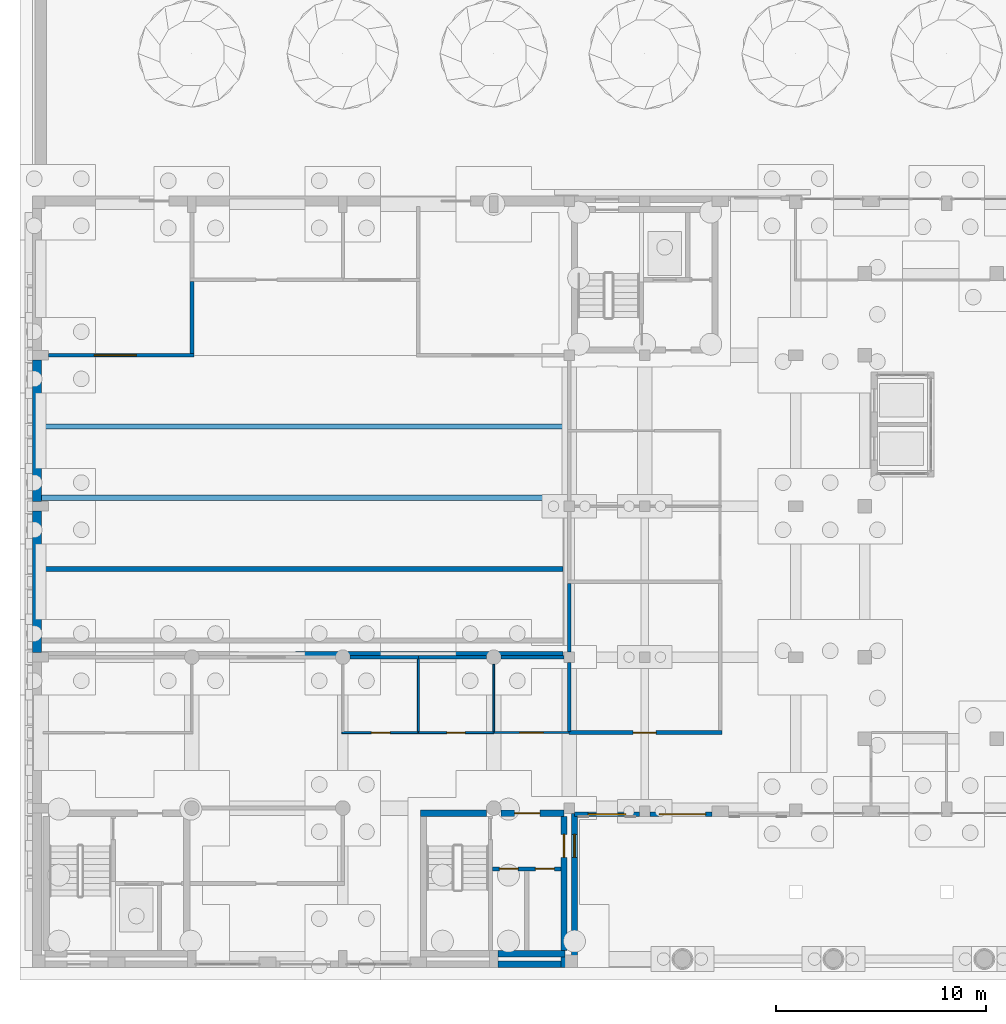
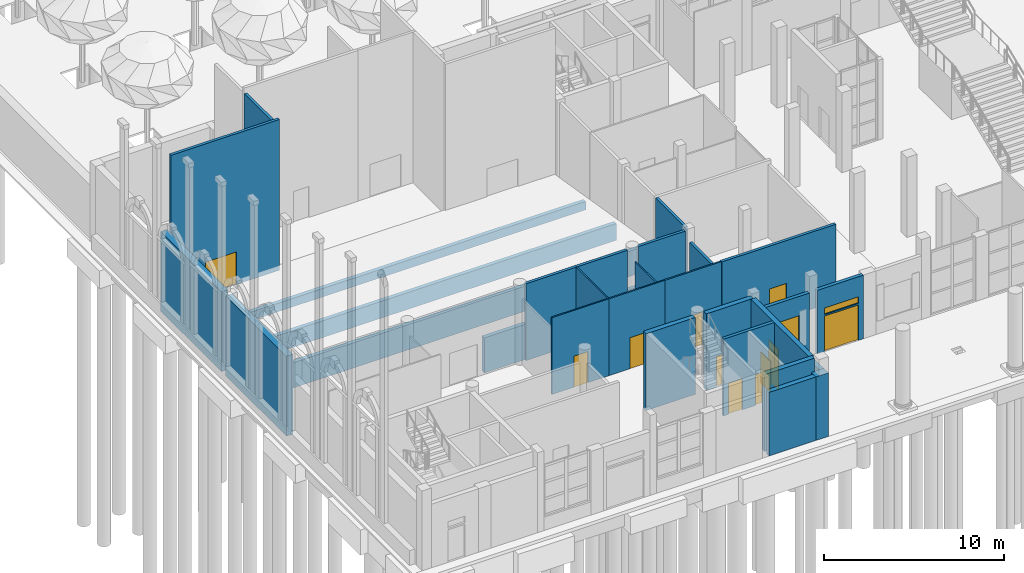
# One storey, part 41 of 80: 29 walls, 11 doors, 3 windows, 14 openings.
"""IFC4 building model written with IfcOpenShell, lengths in metres."""

from ifc_helpers import new_model, si_unit, direction, frame, frame_2d, origin, place, context, subcontext, project, spatial, rectangle, extrude, material, layer, layer_set, type_object, element, fill, save


model = new_model("IFC4")

# Units and contexts
model_context = context("Model", 3, precision=1e-05, world=origin(), true_north=direction((0.0, 1.0)))
body_context = subcontext(model_context, "Body", "Model", "MODEL_VIEW")
ifc_project = project(units=[si_unit("LENGTHUNIT", "METRE"), si_unit("AREAUNIT", "SQUARE_METRE"), si_unit("VOLUMEUNIT", "CUBIC_METRE"), si_unit("PLANEANGLEUNIT", "RADIAN"), si_unit("MASSUNIT", "GRAM", prefix="KILO")], contexts=[model_context])

# Site, building, storey
site_placement = place(None, origin())
site = spatial("IfcSite", under=ifc_project, at=site_placement, CompositionType="ELEMENT")
building_placement = place(site_placement, origin())
building = spatial("IfcBuilding", under=site, at=building_placement, Name="Ussher Court Research Institute", CompositionType="ELEMENT")
storey_placement = place(building_placement, origin())
storey = spatial("IfcBuildingStorey", under=building, at=storey_placement, Name="L00", CompositionType="ELEMENT", Elevation=0.0)

# Wall, opening, door
ifc_material_1 = material(Name="Plasterboard on steel studs with mineral wool", Category="steel")
ifc_layer_1 = layer(ifc_material_1, 0.179931640625)
ifc_layer_set_1 = layer_set([ifc_layer_1], Name="Plasterboard on steel studs with mineral wool")
wall_type_1 = type_object("IfcWallType", Name="Acoustic twin-stud partition 180", PredefinedType="PARTITIONING", material=ifc_layer_set_1)
wall_1_placement = place(storey_placement, frame((28.199951171875, 14.800048828125, 0.0), z_axis=(0.0, 0.0, 1.0), x_axis=(1.0, 0.0, 0.0)))
wall_1 = element("IfcWall", 1, at=wall_1_placement, inside=storey, type_object=wall_type_1, Name="Partition", PredefinedType="PARTITIONING", context=body_context, shape_type="SweptSolid", body=[
    extrude(rectangle(XDim=7.2900390625, YDim=0.179931640625, at=frame_2d((3.64501953125, 0.0))), origin(), (0.0, 0.0, 1.0), 5.199951171875),
])
opening_1_placement = place(wall_1_placement, frame((3.050048828125, 0.0, 0.0)))
opening_1 = element("IfcOpeningElement", 2, at=opening_1_placement, cuts=wall_1, Name="Opening D00031", PredefinedType="OPENING", context=body_context, shape_type="SweptSolid", body=[
    extrude(rectangle(XDim=1.10009765625, YDim=2.300048828125, at=frame_2d((0.550048828125, 1.14990234375))), frame((0.0, 0.10009765625, 0.0), z_axis=(0.0, -1.0, 0.0), x_axis=(1.0, 0.0, 0.0)), (0.0, 0.0, 1.0), 0.199951171875),
])
ifc_material_2 = material(Name="Veneered timber door", Category="wood")
door_type_1 = type_object("IfcDoorType", Name="Seminar room door 1100x2300", OperationType="NOTDEFINED", PredefinedType="DOOR", material=ifc_material_2)
door_1_placement = place(opening_1_placement, origin())
door_1 = element("IfcDoor", 3, at=door_1_placement, inside=storey, type_object=door_type_1, Name="Door D00031", OperationType="SINGLE_SWING_LEFT", OverallHeight=2.300048828125, OverallWidth=1.10009765625, PredefinedType="DOOR", context=body_context, shape_type="SweptSolid", body=[
    extrude(rectangle(XDim=1.10009765625, YDim=2.300048828125, at=frame_2d((0.550048828125, 1.14990234375))), frame((0.0, 0.02490234375, 0.0), z_axis=(0.0, -1.0, 0.0), x_axis=(1.0, 0.0, 0.0)), (0.0, 0.0, 1.0), 0.050048828125),
])
fill(opening_1, door_1)

# Walls
for number, where, z_axis, x_axis, name in (
    (4, (17.75, 18.39990234375, 0.0), (0.0, 0.0, 1.0), (1.0, 0.0, 0.0), "Partition"),
    (5, (21.0, 18.39990234375, 0.0), (0.0, 0.0, 1.0), (1.0, 0.0, 0.0), "Partition"),
):
    element("IfcWall", number, at=place(storey_placement, frame(where, z_axis=z_axis, x_axis=x_axis)), inside=storey, type_object=wall_type_1, Name=name, PredefinedType="PARTITIONING", context=body_context, shape_type="SweptSolid", body=[
        extrude(rectangle(XDim=3.25, YDim=0.179931640625, at=frame_2d((1.625, 0.0))), origin(), (0.0, 0.0, 1.0), 5.199951171875),
    ])
wall_2_placement = place(storey_placement, frame((24.949951171875, 18.39990234375, 0.0), z_axis=(0.0, 0.0, 1.0), x_axis=(1.0, 0.0, 0.0)))
element("IfcWall", 6, at=wall_2_placement, inside=storey, type_object=wall_type_1, Name="Partition", PredefinedType="PARTITIONING", context=body_context, shape_type="SweptSolid", body=[
    extrude(rectangle(XDim=3.0, YDim=0.179931640625, at=frame_2d((1.5, 0.0))), origin(), (0.0, 0.0, 1.0), 5.199951171875),
])
wall_3_placement = place(storey_placement, frame((28.199951171875, 14.85009765625, 0.0), z_axis=(0.0, 0.0, 1.0), x_axis=(0.0, 1.0, 0.0)))
element("IfcWall", 7, at=wall_3_placement, inside=storey, type_object=wall_type_1, Name="Partition", PredefinedType="PARTITIONING", context=body_context, shape_type="SweptSolid", body=[
    extrude(rectangle(XDim=3.2998046875, YDim=0.179931640625, at=frame_2d((1.64990234375, 0.0))), origin(), (0.0, 0.0, 1.0), 4.469970703125),
])
wall_4_placement = place(storey_placement, frame((28.199951171875, 18.64990234375, 0.0), z_axis=(0.0, 0.0, 1.0), x_axis=(0.0, 1.0, 0.0)))
element("IfcWall", 8, at=wall_4_placement, inside=storey, type_object=wall_type_1, Name="Partition", PredefinedType="PARTITIONING", context=body_context, shape_type="SweptSolid", body=[
    extrude(rectangle(XDim=3.260009765625, YDim=0.179931640625, at=frame_2d((1.6298828125, 0.0))), origin(), (0.0, 0.0, 1.0), 5.199951171875),
])
ifc_material_3 = material(Name="Concrete C35/45", Category="concrete")
ifc_layer_2 = layer(ifc_material_3, 0.419921875)
ifc_layer_set_2 = layer_set([ifc_layer_2], Name="Concrete C35/45")
wall_type_2 = type_object("IfcWallType", Name="Blind west wall 420 reinforced concrete limestone faced", PredefinedType="SOLIDWALL", material=ifc_layer_set_2)
for number, where, z_axis, x_axis, name in (
    (9, (2.81005859375, 18.625, 0.0), (0.0, 0.0, 1.0), (0.0, 1.0, 0.0), "RC wall RW2 west"),
    (10, (2.81005859375, 25.824951171875, 0.0), (0.0, 0.0, 1.0), (0.0, 1.0, 0.0), "RC wall RW2 west"),
):
    element("IfcWall", number, at=place(storey_placement, frame(where, z_axis=z_axis, x_axis=x_axis)), inside=storey, type_object=wall_type_2, Name=name, PredefinedType="SOLIDWALL", context=body_context, shape_type="SweptSolid", body=[
        extrude(rectangle(XDim=6.75, YDim=0.419921875, at=frame_2d((3.375, 0.0))), origin(), (0.0, 0.0, 1.0), 5.39990234375),
    ])
ifc_material_4 = material(Name="Limestone facing on blockwork", Category="masonry")
ifc_layer_3 = layer(ifc_material_4, 0.300048828125)
ifc_layer_set_3 = layer_set([ifc_layer_3], Name="Limestone facing on blockwork")
wall_type_3 = type_object("IfcWallType", Name="External wall 300 stair enclosure", PredefinedType="SOLIDWALL", material=ifc_layer_set_3)
wall_5_placement = place(storey_placement, frame((27.800048828125, 3.75, 0.0), z_axis=(0.0, 0.0, 1.0), x_axis=(-1.0, 0.0, 0.0)))
element("IfcWall", 11, at=wall_5_placement, inside=storey, type_object=wall_type_3, Name="External wall EW5 L00", PredefinedType="SOLIDWALL", context=body_context, shape_type="SweptSolid", body=[
    extrude(rectangle(XDim=3.0, YDim=0.300048828125, at=frame_2d((1.5, 0.0))), origin(), (0.0, 0.0, 1.0), 4.300048828125),
])

# Wall, openings, door, window
ifc_material_5 = material(Name="Limestone facing on insulated blockwork", Category="masonry")
ifc_layer_4 = layer(ifc_material_5, 0.219970703125)
ifc_layer_set_4 = layer_set([ifc_layer_4], Name="Limestone facing on insulated blockwork")
wall_type_4 = type_object("IfcWallType", Name="Link wall 220 limestone faced insulated block", PredefinedType="SOLIDWALL", material=ifc_layer_set_4)
wall_6_placement = place(storey_placement, frame((35.0, 10.909912109375, 0.0), z_axis=(0.0, 0.0, 1.0), x_axis=(-1.0, 0.0, 0.0)))
wall_6 = element("IfcWall", 12, at=wall_6_placement, inside=storey, type_object=wall_type_4, Name="External wall EW6 L00", PredefinedType="SOLIDWALL", context=body_context, shape_type="SweptSolid", body=[
    extrude(rectangle(XDim=2.949951171875, YDim=0.219970703125, at=frame_2d((1.47509765625, 0.0))), origin(), (0.0, 0.0, 1.0), 4.300048828125),
])
opening_2_placement = place(wall_6_placement, frame((0.300048828125, 0.0, 0.0)))
opening_2 = element("IfcOpeningElement", 13, at=opening_2_placement, cuts=wall_6, Name="Opening DX28", PredefinedType="OPENING", context=body_context, shape_type="SweptSolid", body=[
    extrude(rectangle(XDim=2.199951171875, YDim=2.39990234375, at=frame_2d((1.10009765625, 1.199951171875))), frame((0.0, 0.1201171875, 0.0), z_axis=(0.0, -1.0, 0.0), x_axis=(1.0, 0.0, 0.0)), (0.0, 0.0, 1.0), 0.239990234375),
])
opening_3_placement = place(wall_6_placement, frame((0.300048828125, 0.0, 2.5)))
opening_3 = element("IfcOpeningElement", 14, at=opening_3_placement, cuts=wall_6, Name="Opening W22", PredefinedType="OPENING", context=body_context, shape_type="SweptSolid", body=[
    extrude(rectangle(XDim=2.199951171875, YDim=0.449951171875, at=frame_2d((1.10009765625, 0.22509765625))), frame((0.0, 0.1201171875, 0.0), z_axis=(0.0, -1.0, 0.0), x_axis=(1.0, 0.0, 0.0)), (0.0, 0.0, 1.0), 0.239990234375),
])
ifc_material_6 = material(Name="Bronze anodised aluminium with toughened glass", Category="aluminium")
door_type_2 = type_object("IfcDoorType", Name="Reading link entrance double door 2200x2400", OperationType="DOUBLE_DOOR_SINGLE_SWING", PredefinedType="DOOR", material=ifc_material_6)
door_2_placement = place(opening_2_placement, origin())
door_2 = element("IfcDoor", 15, at=door_2_placement, inside=storey, type_object=door_type_2, Name="Door DX28", OperationType="SINGLE_SWING_LEFT", OverallHeight=2.39990234375, OverallWidth=2.199951171875, PredefinedType="DOOR", context=body_context, shape_type="SweptSolid", body=[
    extrude(rectangle(XDim=2.199951171875, YDim=2.39990234375, at=frame_2d((1.10009765625, 1.199951171875))), frame((0.0, 0.02490234375, 0.0), z_axis=(0.0, -1.0, 0.0), x_axis=(1.0, 0.0, 0.0)), (0.0, 0.0, 1.0), 0.050048828125),
])
fill(opening_2, door_2)
ifc_material_7 = material(Name="Bronze anodised aluminium with double glazing", Category="aluminium")
window_type_1 = type_object("IfcWindowType", Name="Reading link entrance transom light 2200x450", PartitioningType="SINGLE_PANEL", PredefinedType="WINDOW", material=ifc_material_7)
window_1_placement = place(opening_3_placement, origin())
window_1 = element("IfcWindow", 16, at=window_1_placement, inside=storey, type_object=window_type_1, Name="Window W22 L00", OverallHeight=0.449951171875, OverallWidth=2.199951171875, PartitioningType="SINGLE_PANEL", PredefinedType="WINDOW", context=body_context, shape_type="SweptSolid", body=[
    extrude(rectangle(XDim=2.199951171875, YDim=0.449951171875, at=frame_2d((1.10009765625, 0.22509765625))), frame((0.0, 0.030029296875, 0.0), z_axis=(0.0, -1.0, 0.0), x_axis=(1.0, 0.0, 0.0)), (0.0, 0.0, 1.0), 0.06005859375),
])
fill(opening_3, window_1)

# Wall, opening, window
wall_7_placement = place(storey_placement, frame((31.550048828125, 10.909912109375, 0.0), z_axis=(0.0, 0.0, 1.0), x_axis=(-1.0, 0.0, 0.0)))
wall_7 = element("IfcWall", 17, at=wall_7_placement, inside=storey, type_object=wall_type_4, Name="External wall EW6 L00", PredefinedType="SOLIDWALL", context=body_context, shape_type="SweptSolid", body=[
    extrude(rectangle(XDim=3.10009765625, YDim=0.219970703125, at=frame_2d((1.550048828125, 0.0))), origin(), (0.0, 0.0, 1.0), 4.300048828125),
])
opening_4_placement = place(wall_7_placement, frame((0.64990234375, 0.0, 0.89990234375)))
opening_4 = element("IfcOpeningElement", 18, at=opening_4_placement, cuts=wall_7, Name="Opening W09", PredefinedType="OPENING", context=body_context, shape_type="SweptSolid", body=[
    extrude(rectangle(XDim=1.800048828125, YDim=2.10009765625, at=frame_2d((0.89990234375, 1.050048828125))), frame((0.0, 0.1201171875, 0.0), z_axis=(0.0, -1.0, 0.0), x_axis=(1.0, 0.0, 0.0)), (0.0, 0.0, 1.0), 0.239990234375),
])
ifc_material_8 = material(Name="Bronze anodised aluminium with double glazing", Category="aluminium")
window_type_2 = type_object("IfcWindowType", Name="Reading link ground floor window 1800x2100", PartitioningType="DOUBLE_PANEL_VERTICAL", PredefinedType="WINDOW", material=ifc_material_8)
window_2_placement = place(opening_4_placement, origin())
window_2 = element("IfcWindow", 19, at=window_2_placement, inside=storey, type_object=window_type_2, Name="Window W09 L00", OverallHeight=2.10009765625, OverallWidth=1.800048828125, PartitioningType="SINGLE_PANEL", PredefinedType="WINDOW", context=body_context, shape_type="SweptSolid", body=[
    extrude(rectangle(XDim=1.800048828125, YDim=2.10009765625, at=frame_2d((0.89990234375, 1.050048828125))), frame((0.0, 0.030029296875, 0.0), z_axis=(0.0, -1.0, 0.0), x_axis=(1.0, 0.0, 0.0)), (0.0, 0.0, 1.0), 0.06005859375),
])
fill(opening_4, window_2)

# Wall, opening, door
ifc_material_9 = material(Name="Plastered blockwork", Category="masonry")
ifc_layer_5 = layer(ifc_material_9, 0.10009765625)
ifc_layer_set_5 = layer_set([ifc_layer_5], Name="Plastered blockwork")
wall_type_5 = type_object("IfcWallType", Name="Partition plastered blockwork 100", PredefinedType="PARTITIONING", material=ifc_layer_set_5)
wall_8_placement = place(storey_placement, frame((24.60009765625, 14.800048828125, 0.0), z_axis=(0.0, 0.0, 1.0), x_axis=(1.0, 0.0, 0.0)))
wall_8 = element("IfcWall", 20, at=wall_8_placement, inside=storey, type_object=wall_type_5, Name="Partition", PredefinedType="PARTITIONING", context=body_context, shape_type="SweptSolid", body=[
    extrude(rectangle(XDim=3.599853515625, YDim=0.10009765625, at=frame_2d((1.7998046875, 0.0))), origin(), (0.0, 0.0, 1.0), 5.199951171875),
])
opening_5_placement = place(wall_8_placement, frame((1.25, 0.0, 0.0)))
opening_5 = element("IfcOpeningElement", 21, at=opening_5_placement, cuts=wall_8, Name="Opening D00024", PredefinedType="OPENING", context=body_context, shape_type="SweptSolid", body=[
    extrude(rectangle(XDim=1.10009765625, YDim=2.199951171875, at=frame_2d((0.550048828125, 1.10009765625))), frame((0.0, 0.06005859375, 0.0), z_axis=(0.0, -1.0, 0.0), x_axis=(1.0, 0.0, 0.0)), (0.0, 0.0, 1.0), 0.1201171875),
])
ifc_material_10 = material(Name="Veneered timber door", Category="wood")
door_type_3 = type_object("IfcDoorType", Name="Reception door 1100x2200", OperationType="NOTDEFINED", PredefinedType="DOOR", material=ifc_material_10)
door_3_placement = place(opening_5_placement, origin())
door_3 = element("IfcDoor", 22, at=door_3_placement, inside=storey, type_object=door_type_3, Name="Door D00024", OperationType="SINGLE_SWING_LEFT", OverallHeight=2.199951171875, OverallWidth=1.10009765625, PredefinedType="DOOR", context=body_context, shape_type="SweptSolid", body=[
    extrude(rectangle(XDim=1.10009765625, YDim=2.199951171875, at=frame_2d((0.550048828125, 1.10009765625))), frame((0.0, 0.02490234375, 0.0), z_axis=(0.0, -1.0, 0.0), x_axis=(1.0, 0.0, 0.0)), (0.0, 0.0, 1.0), 0.050048828125),
])
fill(opening_5, door_3)

# Wall
ifc_material_11 = material(Name="Rusticated limestone facing on blockwork", Category="masonry")
ifc_layer_6 = layer(ifc_material_11, 0.5)
ifc_layer_set_6 = layer_set([ifc_layer_6], Name="Rusticated limestone facing on blockwork")
wall_type_6 = type_object("IfcWallType", Name="Pier 800x500 rusticated limestone", PredefinedType="SOLIDWALL", material=ifc_layer_set_6)
wall_9_placement = place(storey_placement, frame((28.60009765625, 3.85009765625, 0.0), z_axis=(0.0, 0.0, 1.0), x_axis=(-1.0, 0.0, 0.0)))
element("IfcWall", 23, at=wall_9_placement, inside=storey, type_object=wall_type_6, Name="Pier PR2 L00", PredefinedType="SOLIDWALL", context=body_context, shape_type="SweptSolid", body=[
    extrude(rectangle(XDim=0.800048828125, YDim=0.5, at=frame_2d((0.39990234375, 0.0))), origin(), (0.0, 0.0, 1.0), 4.300048828125),
])

# Wall, openings, doors
ifc_material_12 = material(Name="Concrete C35/45", Category="concrete")
ifc_layer_7 = layer(ifc_material_12, 0.199951171875)
ifc_layer_set_7 = layer_set([ifc_layer_7], Name="Concrete C35/45")
wall_type_7 = type_object("IfcWallType", Name="RC core wall 200", PredefinedType="SHEAR", material=ifc_layer_set_7)
wall_10_placement = place(storey_placement, frame((24.550048828125, 8.300048828125, 0.0), z_axis=(0.0, 0.0, 1.0), x_axis=(1.0, 0.0, 0.0)))
wall_10 = element("IfcWall", 24, at=wall_10_placement, inside=storey, type_object=wall_type_7, Name="Core wall H2", PredefinedType="SHEAR", context=body_context, shape_type="SweptSolid", body=[
    extrude(rectangle(XDim=3.25, YDim=0.199951171875, at=frame_2d((1.625, 0.0))), origin(), (0.0, 0.0, 1.0), 5.199951171875),
])
opening_6_placement = place(wall_10_placement, frame((0.3125, 0.0, 0.0)))
opening_6 = element("IfcOpeningElement", 25, at=opening_6_placement, cuts=wall_10, Name="Opening D00022", PredefinedType="OPENING", context=body_context, shape_type="SweptSolid", body=[
    extrude(rectangle(XDim=0.89990234375, YDim=2.10009765625, at=frame_2d((0.449951171875, 1.050048828125))), frame((0.0, 0.10986328125, 0.0), z_axis=(0.0, -1.0, 0.0), x_axis=(1.0, 0.0, 0.0)), (0.0, 0.0, 1.0), 0.219970703125),
])
opening_7_placement = place(wall_10_placement, frame((2.03759765625, 0.0, 0.0)))
opening_7 = element("IfcOpeningElement", 26, at=opening_7_placement, cuts=wall_10, Name="Opening D00025", PredefinedType="OPENING", context=body_context, shape_type="SweptSolid", body=[
    extrude(rectangle(XDim=0.89990234375, YDim=2.10009765625, at=frame_2d((0.449951171875, 1.050048828125))), frame((0.0, 0.10986328125, 0.0), z_axis=(0.0, -1.0, 0.0), x_axis=(1.0, 0.0, 0.0)), (0.0, 0.0, 1.0), 0.219970703125),
])
ifc_material_13 = material(Name="Painted steel faced fire door", Category="steel")
door_type_4 = type_object("IfcDoorType", Name="Fire door 900x2100 FD60", OperationType="NOTDEFINED", PredefinedType="DOOR", material=ifc_material_13)
door_4_placement = place(opening_6_placement, origin())
door_4 = element("IfcDoor", 27, at=door_4_placement, inside=storey, type_object=door_type_4, Name="Door D00022", OperationType="SINGLE_SWING_LEFT", OverallHeight=2.10009765625, OverallWidth=0.89990234375, PredefinedType="DOOR", context=body_context, shape_type="SweptSolid", body=[
    extrude(rectangle(XDim=0.89990234375, YDim=2.10009765625, at=frame_2d((0.449951171875, 1.050048828125))), frame((0.0, 0.02490234375, 0.0), z_axis=(0.0, -1.0, 0.0), x_axis=(1.0, 0.0, 0.0)), (0.0, 0.0, 1.0), 0.050048828125),
])
fill(opening_6, door_4)
door_5_placement = place(opening_7_placement, origin())
door_5 = element("IfcDoor", 28, at=door_5_placement, inside=storey, type_object=door_type_4, Name="Door D00025", OperationType="SINGLE_SWING_RIGHT", OverallHeight=2.10009765625, OverallWidth=0.89990234375, PredefinedType="DOOR", context=body_context, shape_type="SweptSolid", body=[
    extrude(rectangle(XDim=0.89990234375, YDim=2.10009765625, at=frame_2d((0.449951171875, 1.050048828125))), frame((0.0, 0.02490234375, 0.0), z_axis=(0.0, -1.0, 0.0), x_axis=(1.0, 0.0, 0.0)), (0.0, 0.0, 1.0), 0.050048828125),
])
fill(opening_7, door_5)

# Wall
ifc_material_14 = material(Name="Concrete C35/45", Category="concrete")
ifc_layer_8 = layer(ifc_material_14, 0.300048828125)
ifc_layer_set_8 = layer_set([ifc_layer_8], Name="Concrete C35/45")
wall_type_8 = type_object("IfcWallType", Name="RC core wall 300", PredefinedType="SHEAR", material=ifc_layer_set_8)
wall_11_placement = place(storey_placement, frame((24.25, 10.949951171875, 0.0), z_axis=(0.0, 0.0, 1.0), x_axis=(-1.0, 0.0, 0.0)))
element("IfcWall", 29, at=wall_11_placement, inside=storey, type_object=wall_type_8, Name="Core wall H2", PredefinedType="SHEAR", context=body_context, shape_type="SweptSolid", body=[
    extrude(rectangle(XDim=3.14990234375, YDim=0.300048828125, at=frame_2d((1.574951171875, 0.0))), origin(), (0.0, 0.0, 1.0), 5.199951171875),
])

# Wall, opening, door
wall_12_placement = place(storey_placement, frame((27.949951171875, 10.949951171875, 0.0), z_axis=(0.0, 0.0, 1.0), x_axis=(-1.0, 0.0, 0.0)))
wall_12 = element("IfcWall", 30, at=wall_12_placement, inside=storey, type_object=wall_type_8, Name="Core wall H2", PredefinedType="SHEAR", context=body_context, shape_type="SweptSolid", body=[
    extrude(rectangle(XDim=3.0, YDim=0.300048828125, at=frame_2d((1.5, 0.0))), origin(), (0.0, 0.0, 1.0), 5.199951171875),
])
opening_8_placement = place(wall_12_placement, frame((1.14990234375, 0.0, 0.0)))
opening_8 = element("IfcOpeningElement", 31, at=opening_8_placement, cuts=wall_12, Name="Opening D00023", PredefinedType="OPENING", context=body_context, shape_type="SweptSolid", body=[
    extrude(rectangle(XDim=1.199951171875, YDim=2.10009765625, at=frame_2d((0.60009765625, 1.050048828125))), frame((0.0, 0.16015625, 0.0), z_axis=(0.0, -1.0, 0.0), x_axis=(1.0, 0.0, 0.0)), (0.0, 0.0, 1.0), 0.320068359375),
])
ifc_material_15 = material(Name="Painted steel faced fire door", Category="steel")
door_type_5 = type_object("IfcDoorType", Name="Fire door 1200x2100 FD60", OperationType="NOTDEFINED", PredefinedType="DOOR", material=ifc_material_15)
door_6_placement = place(opening_8_placement, origin())
door_6 = element("IfcDoor", 32, at=door_6_placement, inside=storey, type_object=door_type_5, Name="Door D00023", OperationType="SINGLE_SWING_RIGHT", OverallHeight=2.10009765625, OverallWidth=1.199951171875, PredefinedType="DOOR", context=body_context, shape_type="SweptSolid", body=[
    extrude(rectangle(XDim=1.199951171875, YDim=2.10009765625, at=frame_2d((0.60009765625, 1.050048828125))), frame((0.0, 0.02490234375, 0.0), z_axis=(0.0, -1.0, 0.0), x_axis=(1.0, 0.0, 0.0)), (0.0, 0.0, 1.0), 0.050048828125),
])
fill(opening_8, door_6)

# Wall
wall_13_placement = place(storey_placement, frame((24.800048828125, 4.25, 0.0), z_axis=(0.0, 0.0, 1.0), x_axis=(1.0, 0.0, 0.0)))
element("IfcWall", 33, at=wall_13_placement, inside=storey, type_object=wall_type_8, Name="Core wall H2", PredefinedType="SHEAR", context=body_context, shape_type="SweptSolid", body=[
    extrude(rectangle(XDim=3.199951171875, YDim=0.300048828125, at=frame_2d((1.60009765625, 0.0))), origin(), (0.0, 0.0, 1.0), 5.199951171875),
])

# Wall, opening, door
wall_14_placement = place(storey_placement, frame((27.949951171875, 4.39990234375, 0.0), z_axis=(0.0, 0.0, 1.0), x_axis=(0.0, 1.0, 0.0)))
wall_14 = element("IfcWall", 34, at=wall_14_placement, inside=storey, type_object=wall_type_8, Name="Core wall H2", PredefinedType="SHEAR", context=body_context, shape_type="SweptSolid", body=[
    extrude(rectangle(XDim=6.400146484375, YDim=0.300048828125, at=frame_2d((3.2001953125, 0.0))), origin(), (0.0, 0.0, 1.0), 5.199951171875),
])
opening_9_placement = place(wall_14_placement, frame((4.449951171875, 0.0, 0.0)))
opening_9 = element("IfcOpeningElement", 35, at=opening_9_placement, cuts=wall_14, Name="Opening D00026", PredefinedType="OPENING", context=body_context, shape_type="SweptSolid", body=[
    extrude(rectangle(XDim=1.10009765625, YDim=2.10009765625, at=frame_2d((0.550048828125, 1.050048828125))), frame((0.0, 0.16015625, 0.0), z_axis=(0.0, -1.0, 0.0), x_axis=(1.0, 0.0, 0.0)), (0.0, 0.0, 1.0), 0.320068359375),
])
ifc_material_16 = material(Name="Painted steel faced fire door", Category="steel")
door_type_6 = type_object("IfcDoorType", Name="Fire door 1100x2100 FD60", OperationType="NOTDEFINED", PredefinedType="DOOR", material=ifc_material_16)
door_7_placement = place(opening_9_placement, origin())
door_7 = element("IfcDoor", 36, at=door_7_placement, inside=storey, type_object=door_type_6, Name="Door D00026", OperationType="SINGLE_SWING_RIGHT", OverallHeight=2.10009765625, OverallWidth=1.10009765625, PredefinedType="DOOR", context=body_context, shape_type="SweptSolid", body=[
    extrude(rectangle(XDim=1.10009765625, YDim=2.10009765625, at=frame_2d((0.550048828125, 1.050048828125))), frame((0.0, 0.02490234375, 0.0), z_axis=(0.0, -1.0, 0.0), x_axis=(1.0, 0.0, 0.0)), (0.0, 0.0, 1.0), 0.050048828125),
])
fill(opening_9, door_7)

# Wall, openings, door, window
ifc_material_17 = material(Name="Concrete C35/45", Category="concrete")
ifc_layer_9 = layer(ifc_material_17, 0.300048828125)
ifc_layer_set_9 = layer_set([ifc_layer_9], Name="Concrete C35/45")
wall_type_9 = type_object("IfcWallType", Name="RC wall 300 limestone faced", PredefinedType="SOLIDWALL", material=ifc_layer_set_9)
wall_15_placement = place(storey_placement, frame((28.449951171875, 10.949951171875, 0.0), z_axis=(0.0, 0.0, 1.0), x_axis=(0.0, -1.0, 0.0)))
wall_15 = element("IfcWall", 37, at=wall_15_placement, inside=storey, type_object=wall_type_9, Name="RC wall RW1 east", PredefinedType="SOLIDWALL", context=body_context, shape_type="SweptSolid", body=[
    extrude(rectangle(XDim=6.949951171875, YDim=0.300048828125, at=frame_2d((3.47509765625, 0.0))), origin(), (0.0, 0.0, 1.0), 4.300048828125),
])
opening_10_placement = place(wall_15_placement, frame((1.0, 0.0, 0.0)))
opening_10 = element("IfcOpeningElement", 38, at=opening_10_placement, cuts=wall_15, Name="Opening DX01", PredefinedType="OPENING", context=body_context, shape_type="SweptSolid", body=[
    extrude(rectangle(XDim=1.10009765625, YDim=2.199951171875, at=frame_2d((0.550048828125, 1.10009765625))), frame((0.0, 0.16015625, 0.0), z_axis=(0.0, -1.0, 0.0), x_axis=(1.0, 0.0, 0.0)), (0.0, 0.0, 1.0), 0.320068359375),
])
opening_11_placement = place(wall_15_placement, frame((1.0, 0.0, 2.300048828125)))
opening_11 = element("IfcOpeningElement", 39, at=opening_11_placement, cuts=wall_15, Name="Opening W18", PredefinedType="OPENING", context=body_context, shape_type="SweptSolid", body=[
    extrude(rectangle(XDim=1.10009765625, YDim=0.449951171875, at=frame_2d((0.550048828125, 0.22509765625))), frame((0.0, 0.16015625, 0.0), z_axis=(0.0, -1.0, 0.0), x_axis=(1.0, 0.0, 0.0)), (0.0, 0.0, 1.0), 0.320068359375),
])
ifc_material_18 = material(Name="Painted steel", Category="steel")
door_type_7 = type_object("IfcDoorType", Name="Stair discharge door 1100x2200", OperationType="SINGLE_SWING_LEFT", PredefinedType="DOOR", material=ifc_material_18)
door_8_placement = place(opening_10_placement, origin())
door_8 = element("IfcDoor", 40, at=door_8_placement, inside=storey, type_object=door_type_7, Name="Door DX01", OperationType="SINGLE_SWING_LEFT", OverallHeight=2.199951171875, OverallWidth=1.10009765625, PredefinedType="DOOR", context=body_context, shape_type="SweptSolid", body=[
    extrude(rectangle(XDim=1.10009765625, YDim=2.199951171875, at=frame_2d((0.550048828125, 1.10009765625))), frame((0.0, 0.02490234375, 0.0), z_axis=(0.0, -1.0, 0.0), x_axis=(1.0, 0.0, 0.0)), (0.0, 0.0, 1.0), 0.050048828125),
])
fill(opening_10, door_8)
ifc_material_19 = material(Name="Bronze anodised aluminium with double glazing", Category="aluminium")
window_type_3 = type_object("IfcWindowType", Name="Stair discharge transom light 1100x450", PartitioningType="SINGLE_PANEL", PredefinedType="WINDOW", material=ifc_material_19)
window_3_placement = place(opening_11_placement, origin())
window_3 = element("IfcWindow", 41, at=window_3_placement, inside=storey, type_object=window_type_3, Name="Window W18 L00", OverallHeight=0.449951171875, OverallWidth=1.10009765625, PartitioningType="SINGLE_PANEL", PredefinedType="WINDOW", context=body_context, shape_type="SweptSolid", body=[
    extrude(rectangle(XDim=1.10009765625, YDim=0.449951171875, at=frame_2d((0.550048828125, 0.22509765625))), frame((0.0, 0.030029296875, 0.0), z_axis=(0.0, -1.0, 0.0), x_axis=(1.0, 0.0, 0.0)), (0.0, 0.0, 1.0), 0.06005859375),
])
fill(opening_11, window_3)

# Walls
ifc_material_20 = material(Name="Concrete C35/45", Category="concrete")
ifc_layer_10 = layer(ifc_material_20, 0.25)
ifc_layer_set_10 = layer_set([ifc_layer_10], Name="Concrete C35/45")
wall_type_10 = type_object("IfcWallType", Name="Tier wall 250", PredefinedType="SOLIDWALL", material=ifc_layer_set_10)
wall_16_placement = place(storey_placement, frame((3.02001953125, 29.39990234375, 0.0), z_axis=(0.0, 0.0, 1.0), x_axis=(1.0, 0.0, 0.0)))
element("IfcWall", 42, at=wall_16_placement, inside=storey, type_object=wall_type_10, Name="TW250 V1 L00-01", PredefinedType="SOLIDWALL", context=body_context, shape_type="SweptSolid", body=[
    extrude(rectangle(XDim=24.8798828125, YDim=0.25, at=frame_2d((12.43994140625, 0.0))), origin(), (0.0, 0.0, 1.0), 0.57080078125),
])
wall_17_placement = place(storey_placement, frame((3.02001953125, 26.0, 0.0), z_axis=(0.0, 0.0, 1.0), x_axis=(1.0, 0.0, 0.0)))
element("IfcWall", 43, at=wall_17_placement, inside=storey, type_object=wall_type_10, Name="TW250 V1 L00-02", PredefinedType="SOLIDWALL", context=body_context, shape_type="SweptSolid", body=[
    extrude(rectangle(XDim=24.8798828125, YDim=0.25, at=frame_2d((12.43994140625, 0.0))), origin(), (0.0, 0.0, 1.0), 1.137451171875),
])
wall_18_placement = place(storey_placement, frame((3.02001953125, 22.60009765625, 0.0), z_axis=(0.0, 0.0, 1.0), x_axis=(1.0, 0.0, 0.0)))
element("IfcWall", 44, at=wall_18_placement, inside=storey, type_object=wall_type_10, Name="TW250 V1 L00-03", PredefinedType="SOLIDWALL", context=body_context, shape_type="SweptSolid", body=[
    extrude(rectangle(XDim=24.8798828125, YDim=0.25, at=frame_2d((12.43994140625, 0.0))), origin(), (0.0, 0.0, 1.0), 1.7041015625),
])
wall_19_placement = place(storey_placement, frame((15.14990234375, 18.550048828125, 0.0), z_axis=(0.0, 0.0, 1.0), x_axis=(1.0, 0.0, 0.0)))
element("IfcWall", 45, at=wall_19_placement, inside=storey, type_object=wall_type_10, Name="TW250 V1 L00-06", PredefinedType="SOLIDWALL", context=body_context, shape_type="SweptSolid", body=[
    extrude(rectangle(XDim=12.75, YDim=0.25, at=frame_2d((6.375, 0.0))), origin(), (0.0, 0.0, 1.0), 2.379150390625),
])

# Wall, opening, door
ifc_material_21 = material(Name="Moisture-resistant board on steel studs", Category="steel")
ifc_layer_11 = layer(ifc_material_21, 0.090087890625)
ifc_layer_set_11 = layer_set([ifc_layer_11], Name="Moisture-resistant board on steel studs")
wall_type_11 = type_object("IfcWallType", Name="WC lining partition 90", PredefinedType="PARTITIONING", material=ifc_layer_set_11)
wall_20_placement = place(storey_placement, frame((17.35498046875, 14.800048828125, 0.0), z_axis=(0.0, 0.0, 1.0), x_axis=(1.0, 0.0, 0.0)))
wall_20 = element("IfcWall", 46, at=wall_20_placement, inside=storey, type_object=wall_type_11, Name="Partition", PredefinedType="PARTITIONING", context=body_context, shape_type="SweptSolid", body=[
    extrude(rectangle(XDim=3.64501953125, YDim=0.090087890625, at=frame_2d((1.822509765625, 0.0))), origin(), (0.0, 0.0, 1.0), 5.199951171875),
])
opening_12_placement = place(wall_20_placement, frame((1.39501953125, 0.0, 0.0)))
opening_12 = element("IfcOpeningElement", 47, at=opening_12_placement, cuts=wall_20, Name="Opening D00017", PredefinedType="OPENING", context=body_context, shape_type="SweptSolid", body=[
    extrude(rectangle(XDim=0.89990234375, YDim=2.10009765625, at=frame_2d((0.449951171875, 1.050048828125))), frame((0.0, 0.05517578125, 0.0), z_axis=(0.0, -1.0, 0.0), x_axis=(1.0, 0.0, 0.0)), (0.0, 0.0, 1.0), 0.110107421875),
])
ifc_material_22 = material(Name="Veneered timber door", Category="wood")
door_type_8 = type_object("IfcDoorType", Name="WC door 900x2100", OperationType="NOTDEFINED", PredefinedType="DOOR", material=ifc_material_22)
door_9_placement = place(opening_12_placement, origin())
door_9 = element("IfcDoor", 48, at=door_9_placement, inside=storey, type_object=door_type_8, Name="Door D00017", OperationType="SINGLE_SWING_RIGHT", OverallHeight=2.10009765625, OverallWidth=0.89990234375, PredefinedType="DOOR", context=body_context, shape_type="SweptSolid", body=[
    extrude(rectangle(XDim=0.89990234375, YDim=2.10009765625, at=frame_2d((0.449951171875, 1.050048828125))), frame((0.0, 0.02490234375, 0.0), z_axis=(0.0, -1.0, 0.0), x_axis=(1.0, 0.0, 0.0)), (0.0, 0.0, 1.0), 0.050048828125),
])
fill(opening_12, door_9)

wall_21_placement = place(storey_placement, frame((21.0, 14.800048828125, 0.0), z_axis=(0.0, 0.0, 1.0), x_axis=(1.0, 0.0, 0.0)))
wall_21 = element("IfcWall", 49, at=wall_21_placement, inside=storey, type_object=wall_type_11, Name="Partition", PredefinedType="PARTITIONING", context=body_context, shape_type="SweptSolid", body=[
    extrude(rectangle(XDim=3.60009765625, YDim=0.090087890625, at=frame_2d((1.800048828125, 0.0))), origin(), (0.0, 0.0, 1.0), 5.199951171875),
])
opening_13_placement = place(wall_21_placement, frame((1.35009765625, 0.0, 0.0)))
opening_13 = element("IfcOpeningElement", 50, at=opening_13_placement, cuts=wall_21, Name="Opening D00019", PredefinedType="OPENING", context=body_context, shape_type="SweptSolid", body=[
    extrude(rectangle(XDim=0.89990234375, YDim=2.10009765625, at=frame_2d((0.449951171875, 1.050048828125))), frame((0.0, 0.05517578125, 0.0), z_axis=(0.0, -1.0, 0.0), x_axis=(1.0, 0.0, 0.0)), (0.0, 0.0, 1.0), 0.110107421875),
])
door_10_placement = place(opening_13_placement, origin())
door_10 = element("IfcDoor", 51, at=door_10_placement, inside=storey, type_object=door_type_8, Name="Door D00019", OperationType="SINGLE_SWING_LEFT", OverallHeight=2.10009765625, OverallWidth=0.89990234375, PredefinedType="DOOR", context=body_context, shape_type="SweptSolid", body=[
    extrude(rectangle(XDim=0.89990234375, YDim=2.10009765625, at=frame_2d((0.449951171875, 1.050048828125))), frame((0.0, 0.02490234375, 0.0), z_axis=(0.0, -1.0, 0.0), x_axis=(1.0, 0.0, 0.0)), (0.0, 0.0, 1.0), 0.050048828125),
])
fill(opening_13, door_10)

# Walls
wall_22_placement = place(storey_placement, frame((21.0, 14.844970703125, 0.0), z_axis=(0.0, 0.0, 1.0), x_axis=(0.0, 1.0, 0.0)))
element("IfcWall", 52, at=wall_22_placement, inside=storey, type_object=wall_type_11, Name="Partition", PredefinedType="PARTITIONING", context=body_context, shape_type="SweptSolid", body=[
    extrude(rectangle(XDim=3.465087890625, YDim=0.090087890625, at=frame_2d((1.732421875, 0.0))), origin(), (0.0, 0.0, 1.0), 5.199951171875),
])
wall_23_placement = place(storey_placement, frame((24.60009765625, 14.844970703125, 0.0), z_axis=(0.0, 0.0, 1.0), x_axis=(0.0, 1.0, 0.0)))
element("IfcWall", 53, at=wall_23_placement, inside=storey, type_object=wall_type_11, Name="Partition", PredefinedType="PARTITIONING", context=body_context, shape_type="SweptSolid", body=[
    extrude(rectangle(XDim=3.205078125, YDim=0.090087890625, at=frame_2d((1.6025390625, 0.0))), origin(), (0.0, 0.0, 1.0), 4.469970703125),
])

# Wall, opening, door
ifc_material_23 = material(Name="Plastered blockwork", Category="masonry")
ifc_layer_12 = layer(ifc_material_23, 0.179931640625)
ifc_layer_set_12 = layer_set([ifc_layer_12], Name="Plastered blockwork")
wall_type_12 = type_object("IfcWallType", Name="Workshop block 180 EI 60", PredefinedType="PARTITIONING", material=ifc_layer_set_12)
wall_24_placement = place(storey_placement, frame((3.35009765625, 32.800048828125, 0.0), z_axis=(0.0, 0.0, 1.0), x_axis=(1.0, 0.0, 0.0)))
wall_24 = element("IfcWall", 54, at=wall_24_placement, inside=storey, type_object=wall_type_12, Name="Fire partition", PredefinedType="PARTITIONING", context=body_context, shape_type="SweptSolid", body=[
    extrude(rectangle(XDim=6.93994140625, YDim=0.179931640625, at=frame_2d((3.469970703125, 0.0))), origin(), (0.0, 0.0, 1.0), 10.199951171875),
])
opening_14_placement = place(wall_24_placement, frame((2.199951171875, 0.0, 0.0)))
opening_14 = element("IfcOpeningElement", 55, at=opening_14_placement, cuts=wall_24, Name="Opening D00006", PredefinedType="OPENING", context=body_context, shape_type="SweptSolid", body=[
    extrude(rectangle(XDim=2.0, YDim=2.199951171875, at=frame_2d((1.0, 1.10009765625))), frame((0.0, 0.10009765625, 0.0), z_axis=(0.0, -1.0, 0.0), x_axis=(1.0, 0.0, 0.0)), (0.0, 0.0, 1.0), 0.199951171875),
])
ifc_material_24 = material(Name="Painted steel faced fire door", Category="steel")
door_type_9 = type_object("IfcDoorType", Name="Stage and goods door 2000x2200 FD60 double leaf", OperationType="DOUBLE_DOOR_SINGLE_SWING", PredefinedType="DOOR", material=ifc_material_24)
door_11_placement = place(opening_14_placement, origin())
door_11 = element("IfcDoor", 56, at=door_11_placement, inside=storey, type_object=door_type_9, Name="Door D00006", OperationType="SINGLE_SWING_LEFT", OverallHeight=2.199951171875, OverallWidth=2.0, PredefinedType="DOOR", context=body_context, shape_type="SweptSolid", body=[
    extrude(rectangle(XDim=2.0, YDim=2.199951171875, at=frame_2d((1.0, 1.10009765625))), frame((0.0, 0.02490234375, 0.0), z_axis=(0.0, -1.0, 0.0), x_axis=(1.0, 0.0, 0.0)), (0.0, 0.0, 1.0), 0.050048828125),
])
fill(opening_14, door_11)

# Wall
wall_25_placement = place(storey_placement, frame((10.199951171875, 32.889892578125, 0.0), z_axis=(0.0, 0.0, 1.0), x_axis=(0.0, 1.0, 0.0)))
element("IfcWall", 57, at=wall_25_placement, inside=storey, type_object=wall_type_12, Name="Fire partition", PredefinedType="PARTITIONING", context=body_context, shape_type="SweptSolid", body=[
    extrude(rectangle(XDim=3.420166015625, YDim=0.179931640625, at=frame_2d((1.7099609375, 0.0))), origin(), (0.0, 0.0, 1.0), 9.826171875),
])

save(model, "model.ifc")
